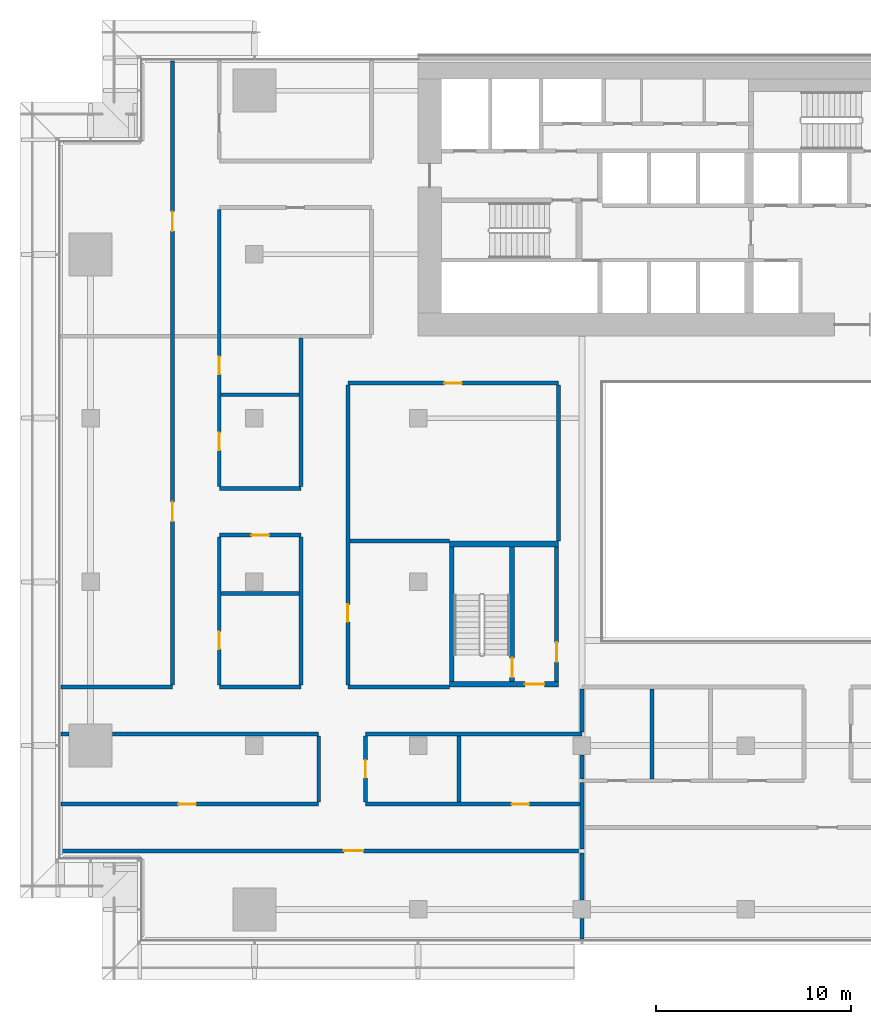
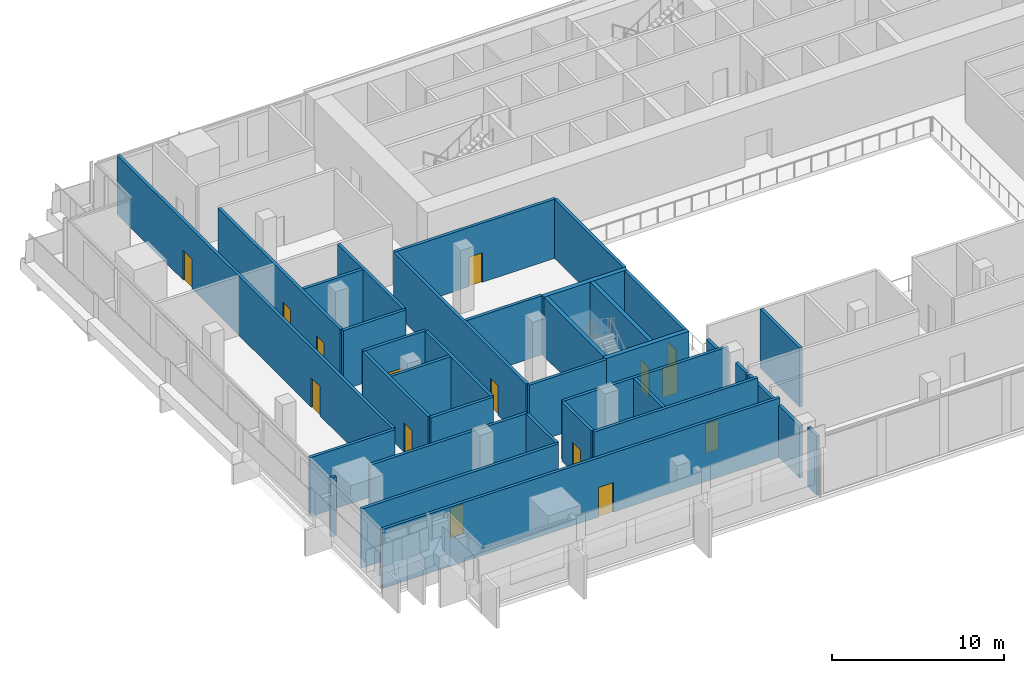
# One storey, part 13 of 23: 36 walls, 15 doors, 15 openings.
"""IFC4 building model written with IfcOpenShell, lengths in metres."""

from ifc_helpers import new_model, si_unit, direction, frame, frame_2d, origin, place, context, subcontext, project, spatial, rectangle, extrude, material, layer, layer_set, type_object, element, fill, save


model = new_model("IFC4")

# Units and contexts
model_context = context("Model", 3, precision=1e-05, world=origin(), true_north=direction((0.0, 1.0)))
body_context = subcontext(model_context, "Body", "Model", "MODEL_VIEW")
ifc_project = project(units=[si_unit("LENGTHUNIT", "METRE"), si_unit("AREAUNIT", "SQUARE_METRE"), si_unit("VOLUMEUNIT", "CUBIC_METRE"), si_unit("PLANEANGLEUNIT", "RADIAN"), si_unit("MASSUNIT", "GRAM", prefix="KILO")], contexts=[model_context])

# Site, building, storey
site_placement = place(None, origin())
site = spatial("IfcSite", under=ifc_project, at=site_placement, CompositionType="ELEMENT")
building_placement = place(site_placement, origin())
building = spatial("IfcBuilding", under=site, at=building_placement, Name="Saffron Gate Tower", CompositionType="ELEMENT")
storey_placement = place(building_placement, frame((0.0, 0.0, 23.699951171875)))
storey = spatial("IfcBuildingStorey", under=building, at=storey_placement, Name="L04", CompositionType="ELEMENT", Elevation=23.699951171875)

# Wall, opening, door
ifc_material_1 = material(Name="Gypsum board partition on steel studs", Category="steel")
ifc_layer_1 = layer(ifc_material_1, 0.199951171875)
ifc_layer_set_1 = layer_set([ifc_layer_1], Name="CW10 Core partition 200")
wall_type_1 = type_object("IfcWallType", Name="CW10 Core partition 200", PredefinedType="PARTITIONING", material=ifc_layer_set_1)
wall_1_placement = place(storey_placement, frame((73.699951171875, 43.5, 0.0), z_axis=(0.0, 0.0, 1.0), x_axis=(0.0, 1.0, 0.0)))
wall_1 = element("IfcWall", 1, at=wall_1_placement, inside=storey, type_object=wall_type_1, Name="Wall CW10-L04-D-4", PredefinedType="PARTITIONING", context=body_context, shape_type="SweptSolid", body=[
    extrude(rectangle(XDim=6.89990234375, YDim=0.199951171875, at=frame_2d((3.449951171875, 0.0))), origin(), (0.0, 0.0, 1.0), 4.199951171875),
])
opening_1_placement = place(wall_1_placement, frame((1.0, 0.0, 0.0)))
opening_1 = element("IfcOpeningElement", 2, at=opening_1_placement, cuts=wall_1, Name="Opening CR-19", PredefinedType="OPENING", context=body_context, shape_type="SweptSolid", body=[
    extrude(rectangle(XDim=1.0, YDim=2.10009765625, at=frame_2d((0.5, 1.050048828125))), frame((0.0, 0.10986328125, 0.0), z_axis=(0.0, -1.0, 0.0), x_axis=(1.0, 0.0, 0.0)), (0.0, 0.0, 1.0), 0.219970703125),
])
ifc_material_2 = material(Name="Steel fire door set", Category="steel")
door_type_1 = type_object("IfcDoorType", Name="CD4 Lobby door 1000x2100 EI 120", OperationType="NOTDEFINED", PredefinedType="DOOR", material=ifc_material_2)
door_1_placement = place(opening_1_placement, origin())
door_1 = element("IfcDoor", 3, at=door_1_placement, inside=storey, type_object=door_type_1, Name="DOOR CR-19", OperationType="SINGLE_SWING_RIGHT", OverallHeight=2.10009765625, OverallWidth=1.0, PredefinedType="DOOR", context=body_context, shape_type="SweptSolid", body=[
    extrude(rectangle(XDim=1.0, YDim=2.10009765625, at=frame_2d((0.5, 1.050048828125))), frame((0.0, 0.02490234375, 0.0), z_axis=(0.0, -1.0, 0.0), x_axis=(1.0, 0.0, 0.0)), (0.0, 0.0, 1.0), 0.050048828125),
])
fill(opening_1, door_1)

# Wall
ifc_material_3 = material(Name="Concrete C70", Category="concrete")
ifc_layer_2 = layer(ifc_material_3, 0.25)
ifc_layer_set_2 = layer_set([ifc_layer_2], Name="CW2 RC core wall 250 C70")
wall_type_2 = type_object("IfcWallType", Name="CW2 RC core wall 250 C70", PredefinedType="SOLIDWALL", material=ifc_layer_set_2)
wall_2_placement = place(storey_placement, frame((68.324951171875, 43.5, 0.0), z_axis=(0.0, 0.0, 1.0), x_axis=(0.0, 1.0, 0.0)))
element("IfcWall", 4, at=wall_2_placement, inside=storey, type_object=wall_type_2, Name="Wall CW2-L04-D-2", PredefinedType="SOLIDWALL", context=body_context, shape_type="SweptSolid", body=[
    extrude(rectangle(XDim=6.89990234375, YDim=0.25, at=frame_2d((3.449951171875, 0.0))), origin(), (0.0, 0.0, 1.0), 4.199951171875),
])

# Wall, opening, door
wall_3_placement = place(storey_placement, frame((71.425048828125, 43.5, 0.0), z_axis=(0.0, 0.0, 1.0), x_axis=(0.0, 1.0, 0.0)))
wall_3 = element("IfcWall", 5, at=wall_3_placement, inside=storey, type_object=wall_type_2, Name="Wall CW2-L04-D-3", PredefinedType="SOLIDWALL", context=body_context, shape_type="SweptSolid", body=[
    extrude(rectangle(XDim=6.89990234375, YDim=0.25, at=frame_2d((3.449951171875, 0.0))), origin(), (0.0, 0.0, 1.0), 4.199951171875),
])
opening_2_placement = place(wall_3_placement, frame((0.199951171875, 0.0, 0.0)))
opening_2 = element("IfcOpeningElement", 6, at=opening_2_placement, cuts=wall_3, Name="Opening CR-20", PredefinedType="OPENING", context=body_context, shape_type="SweptSolid", body=[
    extrude(rectangle(XDim=1.0, YDim=2.10009765625, at=frame_2d((0.5, 1.050048828125))), frame((0.0, 0.135009765625, 0.0), z_axis=(0.0, -1.0, 0.0), x_axis=(1.0, 0.0, 0.0)), (0.0, 0.0, 1.0), 0.27001953125),
])
door_type_2 = type_object("IfcDoorType", Name="CD5 Stair door 1000x2100 EI 120", OperationType="NOTDEFINED", PredefinedType="DOOR", material=ifc_material_2)
door_2_placement = place(opening_2_placement, origin())
door_2 = element("IfcDoor", 7, at=door_2_placement, inside=storey, type_object=door_type_2, Name="DOOR CR-20", OperationType="SINGLE_SWING_LEFT", OverallHeight=2.10009765625, OverallWidth=1.0, PredefinedType="DOOR", context=body_context, shape_type="SweptSolid", body=[
    extrude(rectangle(XDim=1.0, YDim=2.10009765625, at=frame_2d((0.5, 1.050048828125))), frame((0.0, 0.02490234375, 0.0), z_axis=(0.0, -1.0, 0.0), x_axis=(1.0, 0.0, 0.0)), (0.0, 0.0, 1.0), 0.050048828125),
])
fill(opening_2, door_2)

ifc_layer_3 = layer(ifc_material_3, 0.300048828125)
ifc_layer_set_3 = layer_set([ifc_layer_3], Name="CW5 RC core wall 300 C70")
wall_type_3 = type_object("IfcWallType", Name="CW5 RC core wall 300 C70", PredefinedType="SOLIDWALL", material=ifc_layer_set_3)
wall_4_placement = place(storey_placement, frame((68.199951171875, 43.35009765625, 0.0), z_axis=(0.0, 0.0, 1.0), x_axis=(1.0, 0.0, 0.0)))
wall_4 = element("IfcWall", 8, at=wall_4_placement, inside=storey, type_object=wall_type_3, Name="Wall CW5-L04-D-1", PredefinedType="SOLIDWALL", context=body_context, shape_type="SweptSolid", body=[
    extrude(rectangle(XDim=5.60009765625, YDim=0.300048828125, at=frame_2d((2.800048828125, 0.0))), origin(), (0.0, 0.0, 1.0), 4.199951171875),
])
opening_3_placement = place(wall_4_placement, frame((3.875, 0.0, 0.0)))
opening_3 = element("IfcOpeningElement", 9, at=opening_3_placement, cuts=wall_4, Name="Opening CR-18", PredefinedType="OPENING", context=body_context, shape_type="SweptSolid", body=[
    extrude(rectangle(XDim=1.0, YDim=2.10009765625, at=frame_2d((0.5, 1.050048828125))), frame((0.0, 0.16015625, 0.0), z_axis=(0.0, -1.0, 0.0), x_axis=(1.0, 0.0, 0.0)), (0.0, 0.0, 1.0), 0.320068359375),
])
door_3_placement = place(opening_3_placement, origin())
door_3 = element("IfcDoor", 10, at=door_3_placement, inside=storey, type_object=door_type_1, Name="DOOR CR-18", OperationType="SINGLE_SWING_RIGHT", OverallHeight=2.10009765625, OverallWidth=1.0, PredefinedType="DOOR", context=body_context, shape_type="SweptSolid", body=[
    extrude(rectangle(XDim=1.0, YDim=2.10009765625, at=frame_2d((0.5, 1.050048828125))), frame((0.0, 0.02490234375, 0.0), z_axis=(0.0, -1.0, 0.0), x_axis=(1.0, 0.0, 0.0)), (0.0, 0.0, 1.0), 0.050048828125),
])
fill(opening_3, door_3)

# Wall
wall_5_placement = place(storey_placement, frame((68.199951171875, 50.550048828125, 0.0), z_axis=(0.0, 0.0, 1.0), x_axis=(1.0, 0.0, 0.0)))
element("IfcWall", 11, at=wall_5_placement, inside=storey, type_object=wall_type_3, Name="Wall CW5-L04-D-5", PredefinedType="SOLIDWALL", context=body_context, shape_type="SweptSolid", body=[
    extrude(rectangle(XDim=5.60009765625, YDim=0.300048828125, at=frame_2d((2.800048828125, 0.0))), origin(), (0.0, 0.0, 1.0), 4.199951171875),
])

# Wall, opening, door
ifc_material_4 = material(Name="Clay brick masonry, rendered", Category="masonry")
ifc_layer_4 = layer(ifc_material_4, 0.199951171875)
ifc_layer_set_4 = layer_set([ifc_layer_4], Name="PW3 Corridor wall 200")
wall_type_4 = type_object("IfcWallType", Name="PW3 Corridor wall 200", PredefinedType="PARTITIONING", material=ifc_layer_set_4)
wall_6_placement = place(storey_placement, frame((75.0, 34.800048828125, 0.0), z_axis=(0.0, 0.0, 1.0), x_axis=(-1.0, 0.0, 0.0)))
wall_6 = element("IfcWall", 12, at=wall_6_placement, inside=storey, type_object=wall_type_4, Name="Wall S2-1", PredefinedType="PARTITIONING", context=body_context, shape_type="SweptSolid", body=[
    extrude(rectangle(XDim=26.719970703125, YDim=0.199951171875, at=frame_2d((13.35986328125, 0.0))), origin(), (0.0, 0.0, 1.0), 4.199951171875),
])
opening_4_placement = place(wall_6_placement, frame((11.203857421875, 0.0, 0.0)))
opening_4 = element("IfcOpeningElement", 13, at=opening_4_placement, cuts=wall_6, Name="Opening S2-32", PredefinedType="OPENING", context=body_context, shape_type="SweptSolid", body=[
    extrude(rectangle(XDim=1.0, YDim=2.10009765625, at=frame_2d((0.5, 1.050048828125))), frame((0.0, 0.10986328125, 0.0), z_axis=(0.0, -1.0, 0.0), x_axis=(1.0, 0.0, 0.0)), (0.0, 0.0, 1.0), 0.219970703125),
])
ifc_material_5 = material(Name="Timber door set", Category="wood")
door_type_3 = type_object("IfcDoorType", Name="HD1 Hall door 1200x2100", OperationType="NOTDEFINED", PredefinedType="DOOR", material=ifc_material_5)
door_4_placement = place(opening_4_placement, origin())
door_4 = element("IfcDoor", 14, at=door_4_placement, inside=storey, type_object=door_type_3, Name="Door S2-32", OperationType="SINGLE_SWING_LEFT", OverallHeight=2.10009765625, OverallWidth=1.0, PredefinedType="DOOR", context=body_context, shape_type="SweptSolid", body=[
    extrude(rectangle(XDim=1.0, YDim=2.10009765625, at=frame_2d((0.5, 1.050048828125))), frame((0.0, 0.02490234375, 0.0), z_axis=(0.0, -1.0, 0.0), x_axis=(1.0, 0.0, 0.0)), (0.0, 0.0, 1.0), 0.050048828125),
])
fill(opening_4, door_4)

wall_7_placement = place(storey_placement, frame((48.280029296875, 37.199951171875, 0.0), z_axis=(0.0, 0.0, 1.0), x_axis=(1.0, 0.0, 0.0)))
wall_7 = element("IfcWall", 15, at=wall_7_placement, inside=storey, type_object=wall_type_4, Name="Wall S2-4", PredefinedType="PARTITIONING", context=body_context, shape_type="SweptSolid", body=[
    extrude(rectangle(XDim=13.219970703125, YDim=0.199951171875, at=frame_2d((6.60986328125, 0.0))), origin(), (0.0, 0.0, 1.0), 4.199951171875),
])
opening_5_placement = place(wall_7_placement, frame((6.02001953125, 0.0, 0.0)))
opening_5 = element("IfcOpeningElement", 16, at=opening_5_placement, cuts=wall_7, Name="Opening S2-6", PredefinedType="OPENING", context=body_context, shape_type="SweptSolid", body=[
    extrude(rectangle(XDim=0.89990234375, YDim=2.10009765625, at=frame_2d((0.449951171875, 1.050048828125))), frame((0.0, 0.10986328125, 0.0), z_axis=(0.0, -1.0, 0.0), x_axis=(1.0, 0.0, 0.0)), (0.0, 0.0, 1.0), 0.219970703125),
])
door_type_4 = type_object("IfcDoorType", Name="RD1 Room door 900x2100", OperationType="NOTDEFINED", PredefinedType="DOOR", material=ifc_material_5)
door_5_placement = place(opening_5_placement, origin())
door_5 = element("IfcDoor", 17, at=door_5_placement, inside=storey, type_object=door_type_4, Name="Door S2-6", OperationType="SINGLE_SWING_LEFT", OverallHeight=2.10009765625, OverallWidth=0.89990234375, PredefinedType="DOOR", context=body_context, shape_type="SweptSolid", body=[
    extrude(rectangle(XDim=0.89990234375, YDim=2.10009765625, at=frame_2d((0.449951171875, 1.050048828125))), frame((0.0, 0.02490234375, 0.0), z_axis=(0.0, -1.0, 0.0), x_axis=(1.0, 0.0, 0.0)), (0.0, 0.0, 1.0), 0.050048828125),
])
fill(opening_5, door_5)

wall_8_placement = place(storey_placement, frame((63.89990234375, 37.199951171875, 0.0), z_axis=(0.0, 0.0, 1.0), x_axis=(1.0, 0.0, 0.0)))
wall_8 = element("IfcWall", 18, at=wall_8_placement, inside=storey, type_object=wall_type_4, Name="Wall S2-5", PredefinedType="PARTITIONING", context=body_context, shape_type="SweptSolid", body=[
    extrude(rectangle(XDim=11.0, YDim=0.199951171875, at=frame_2d((5.5, 0.0))), origin(), (0.0, 0.0, 1.0), 4.199951171875),
])
opening_6_placement = place(wall_8_placement, frame((7.5, 0.0, 0.0)))
opening_6 = element("IfcOpeningElement", 19, at=opening_6_placement, cuts=wall_8, Name="Opening S2-8", PredefinedType="OPENING", context=body_context, shape_type="SweptSolid", body=[
    extrude(rectangle(XDim=0.89990234375, YDim=2.10009765625, at=frame_2d((0.449951171875, 1.050048828125))), frame((0.0, 0.10986328125, 0.0), z_axis=(0.0, -1.0, 0.0), x_axis=(1.0, 0.0, 0.0)), (0.0, 0.0, 1.0), 0.219970703125),
])
door_6_placement = place(opening_6_placement, origin())
door_6 = element("IfcDoor", 20, at=door_6_placement, inside=storey, type_object=door_type_4, Name="Door S2-8", OperationType="SINGLE_SWING_RIGHT", OverallHeight=2.10009765625, OverallWidth=0.89990234375, PredefinedType="DOOR", context=body_context, shape_type="SweptSolid", body=[
    extrude(rectangle(XDim=0.89990234375, YDim=2.10009765625, at=frame_2d((0.449951171875, 1.050048828125))), frame((0.0, 0.02490234375, 0.0), z_axis=(0.0, -1.0, 0.0), x_axis=(1.0, 0.0, 0.0)), (0.0, 0.0, 1.0), 0.050048828125),
])
fill(opening_6, door_6)

# Walls
wall_9_placement = place(storey_placement, frame((48.280029296875, 40.800048828125, 0.0), z_axis=(0.0, 0.0, 1.0), x_axis=(1.0, 0.0, 0.0)))
element("IfcWall", 21, at=wall_9_placement, inside=storey, type_object=wall_type_4, Name="Wall S2-10", PredefinedType="PARTITIONING", context=body_context, shape_type="SweptSolid", body=[
    extrude(rectangle(XDim=0.39990234375, YDim=0.199951171875, at=frame_2d((0.199951171875, 0.0))), origin(), (0.0, 0.0, 1.0), 4.199951171875),
])
wall_10_placement = place(storey_placement, frame((50.919921875, 40.800048828125, 0.0), z_axis=(0.0, 0.0, 1.0), x_axis=(1.0, 0.0, 0.0)))
element("IfcWall", 22, at=wall_10_placement, inside=storey, type_object=wall_type_4, Name="Wall S2-11", PredefinedType="PARTITIONING", context=body_context, shape_type="SweptSolid", body=[
    extrude(rectangle(XDim=10.580078125, YDim=0.199951171875, at=frame_2d((5.2900390625, 0.0))), origin(), (0.0, 0.0, 1.0), 4.199951171875),
])
wall_11_placement = place(storey_placement, frame((63.89990234375, 40.800048828125, 0.0), z_axis=(0.0, 0.0, 1.0), x_axis=(1.0, 0.0, 0.0)))
element("IfcWall", 23, at=wall_11_placement, inside=storey, type_object=wall_type_4, Name="Wall S2-12", PredefinedType="PARTITIONING", context=body_context, shape_type="SweptSolid", body=[
    extrude(rectangle(XDim=11.10009765625, YDim=0.199951171875, at=frame_2d((5.550048828125, 0.0))), origin(), (0.0, 0.0, 1.0), 4.199951171875),
])
wall_12_placement = place(storey_placement, frame((48.280029296875, 43.199951171875, 0.0), z_axis=(0.0, 0.0, 1.0), x_axis=(1.0, 0.0, 0.0)))
element("IfcWall", 24, at=wall_12_placement, inside=storey, type_object=wall_type_4, Name="Wall S2-16", PredefinedType="PARTITIONING", context=body_context, shape_type="SweptSolid", body=[
    extrude(rectangle(XDim=5.719970703125, YDim=0.199951171875, at=frame_2d((2.85986328125, 0.0))), origin(), (0.0, 0.0, 1.0), 4.199951171875),
])
wall_13_placement = place(storey_placement, frame((56.39990234375, 43.199951171875, 0.0), z_axis=(0.0, 0.0, 1.0), x_axis=(1.0, 0.0, 0.0)))
element("IfcWall", 25, at=wall_13_placement, inside=storey, type_object=wall_type_4, Name="Wall S2-17", PredefinedType="PARTITIONING", context=body_context, shape_type="SweptSolid", body=[
    extrude(rectangle(XDim=4.2001953125, YDim=0.199951171875, at=frame_2d((2.10009765625, 0.0))), origin(), (0.0, 0.0, 1.0), 4.199951171875),
])
wall_14_placement = place(storey_placement, frame((63.0, 43.199951171875, 0.0), z_axis=(0.0, 0.0, 1.0), x_axis=(1.0, 0.0, 0.0)))
element("IfcWall", 26, at=wall_14_placement, inside=storey, type_object=wall_type_4, Name="Wall S2-18", PredefinedType="PARTITIONING", context=body_context, shape_type="SweptSolid", body=[
    extrude(rectangle(XDim=5.199951171875, YDim=0.199951171875, at=frame_2d((2.60009765625, 0.0))), origin(), (0.0, 0.0, 1.0), 4.199951171875),
])

# Wall, opening, door
wall_15_placement = place(storey_placement, frame((60.60009765625, 51.0, 0.0), z_axis=(0.0, 0.0, 1.0), x_axis=(-1.0, 0.0, 0.0)))
wall_15 = element("IfcWall", 27, at=wall_15_placement, inside=storey, type_object=wall_type_4, Name="Wall S2-28", PredefinedType="PARTITIONING", context=body_context, shape_type="SweptSolid", body=[
    extrude(rectangle(XDim=4.2001953125, YDim=0.199951171875, at=frame_2d((2.10009765625, 0.0))), origin(), (0.0, 0.0, 1.0), 4.199951171875),
])
opening_7_placement = place(wall_15_placement, frame((1.64990234375, 0.0, 0.0)))
opening_7 = element("IfcOpeningElement", 28, at=opening_7_placement, cuts=wall_15, Name="Opening S2-19", PredefinedType="OPENING", context=body_context, shape_type="SweptSolid", body=[
    extrude(rectangle(XDim=0.89990234375, YDim=2.10009765625, at=frame_2d((0.449951171875, 1.050048828125))), frame((0.0, 0.10986328125, 0.0), z_axis=(0.0, -1.0, 0.0), x_axis=(1.0, 0.0, 0.0)), (0.0, 0.0, 1.0), 0.219970703125),
])
door_7_placement = place(opening_7_placement, origin())
door_7 = element("IfcDoor", 29, at=door_7_placement, inside=storey, type_object=door_type_4, Name="Door S2-19", OperationType="SINGLE_SWING_RIGHT", OverallHeight=2.10009765625, OverallWidth=0.89990234375, PredefinedType="DOOR", context=body_context, shape_type="SweptSolid", body=[
    extrude(rectangle(XDim=0.89990234375, YDim=2.10009765625, at=frame_2d((0.449951171875, 1.050048828125))), frame((0.0, 0.02490234375, 0.0), z_axis=(0.0, -1.0, 0.0), x_axis=(1.0, 0.0, 0.0)), (0.0, 0.0, 1.0), 0.050048828125),
])
fill(opening_7, door_7)

# Wall
wall_16_placement = place(storey_placement, frame((56.39990234375, 53.39990234375, 0.0), z_axis=(0.0, 0.0, 1.0), x_axis=(1.0, 0.0, 0.0)))
element("IfcWall", 30, at=wall_16_placement, inside=storey, type_object=wall_type_4, Name="Wall S2-31", PredefinedType="PARTITIONING", context=body_context, shape_type="SweptSolid", body=[
    extrude(rectangle(XDim=4.2001953125, YDim=0.199951171875, at=frame_2d((2.10009765625, 0.0))), origin(), (0.0, 0.0, 1.0), 4.199951171875),
])

# Wall, opening, door
wall_17_placement = place(storey_placement, frame((73.800048828125, 58.800048828125, 0.0), z_axis=(0.0, 0.0, 1.0), x_axis=(-1.0, 0.0, 0.0)))
wall_17 = element("IfcWall", 31, at=wall_17_placement, inside=storey, type_object=wall_type_4, Name="Wall S2-38", PredefinedType="PARTITIONING", context=body_context, shape_type="SweptSolid", body=[
    extrude(rectangle(XDim=10.800048828125, YDim=0.199951171875, at=frame_2d((5.39990234375, 0.0))), origin(), (0.0, 0.0, 1.0), 4.199951171875),
])
opening_8_placement = place(wall_17_placement, frame((4.949951171875, 0.0, 0.0)))
opening_8 = element("IfcOpeningElement", 32, at=opening_8_placement, cuts=wall_17, Name="Opening S2-5", PredefinedType="OPENING", context=body_context, shape_type="SweptSolid", body=[
    extrude(rectangle(XDim=0.89990234375, YDim=2.10009765625, at=frame_2d((0.449951171875, 1.050048828125))), frame((0.0, 0.10986328125, 0.0), z_axis=(0.0, -1.0, 0.0), x_axis=(1.0, 0.0, 0.0)), (0.0, 0.0, 1.0), 0.219970703125),
])
door_8_placement = place(opening_8_placement, origin())
door_8 = element("IfcDoor", 33, at=door_8_placement, inside=storey, type_object=door_type_4, Name="Door S2-5", OperationType="SINGLE_SWING_LEFT", OverallHeight=2.10009765625, OverallWidth=0.89990234375, PredefinedType="DOOR", context=body_context, shape_type="SweptSolid", body=[
    extrude(rectangle(XDim=0.89990234375, YDim=2.10009765625, at=frame_2d((0.449951171875, 1.050048828125))), frame((0.0, 0.02490234375, 0.0), z_axis=(0.0, -1.0, 0.0), x_axis=(1.0, 0.0, 0.0)), (0.0, 0.0, 1.0), 0.050048828125),
])
fill(opening_8, door_8)

# Wall, openings, doors
wall_18_placement = place(storey_placement, frame((54.0, 43.300048828125, 0.0), z_axis=(0.0, 0.0, 1.0), x_axis=(0.0, 1.0, 0.0)))
wall_18 = element("IfcWall", 34, at=wall_18_placement, inside=storey, type_object=wall_type_4, Name="Wall S2-52", PredefinedType="PARTITIONING", context=body_context, shape_type="SweptSolid", body=[
    extrude(rectangle(XDim=32.02001953125, YDim=0.199951171875, at=frame_2d((16.010009765625, 0.0))), origin(), (0.0, 0.0, 1.0), 4.199951171875),
])
opening_9_placement = place(wall_18_placement, frame((8.39990234375, 0.0, 0.0)))
opening_9 = element("IfcOpeningElement", 35, at=opening_9_placement, cuts=wall_18, Name="Opening S2-35", PredefinedType="OPENING", context=body_context, shape_type="SweptSolid", body=[
    extrude(rectangle(XDim=1.0, YDim=2.10009765625, at=frame_2d((0.5, 1.050048828125))), frame((0.0, 0.10986328125, 0.0), z_axis=(0.0, -1.0, 0.0), x_axis=(1.0, 0.0, 0.0)), (0.0, 0.0, 1.0), 0.219970703125),
])
opening_10_placement = place(wall_18_placement, frame((23.29150390625, 0.0, 0.0)))
opening_10 = element("IfcOpeningElement", 36, at=opening_10_placement, cuts=wall_18, Name="Opening S2-36", PredefinedType="OPENING", context=body_context, shape_type="SweptSolid", body=[
    extrude(rectangle(XDim=1.0, YDim=2.10009765625, at=frame_2d((0.5, 1.050048828125))), frame((0.0, 0.10986328125, 0.0), z_axis=(0.0, -1.0, 0.0), x_axis=(1.0, 0.0, 0.0)), (0.0, 0.0, 1.0), 0.219970703125),
])
door_9_placement = place(opening_9_placement, origin())
door_9 = element("IfcDoor", 37, at=door_9_placement, inside=storey, type_object=door_type_3, Name="Door S2-35", OperationType="SINGLE_SWING_LEFT", OverallHeight=2.10009765625, OverallWidth=1.0, PredefinedType="DOOR", context=body_context, shape_type="SweptSolid", body=[
    extrude(rectangle(XDim=1.0, YDim=2.10009765625, at=frame_2d((0.5, 1.050048828125))), frame((0.0, 0.02490234375, 0.0), z_axis=(0.0, -1.0, 0.0), x_axis=(1.0, 0.0, 0.0)), (0.0, 0.0, 1.0), 0.050048828125),
])
fill(opening_9, door_9)
door_10_placement = place(opening_10_placement, origin())
door_10 = element("IfcDoor", 38, at=door_10_placement, inside=storey, type_object=door_type_3, Name="Door S2-36", OperationType="SINGLE_SWING_LEFT", OverallHeight=2.10009765625, OverallWidth=1.0, PredefinedType="DOOR", context=body_context, shape_type="SweptSolid", body=[
    extrude(rectangle(XDim=1.0, YDim=2.10009765625, at=frame_2d((0.5, 1.050048828125))), frame((0.0, 0.02490234375, 0.0), z_axis=(0.0, -1.0, 0.0), x_axis=(1.0, 0.0, 0.0)), (0.0, 0.0, 1.0), 0.050048828125),
])
fill(opening_10, door_10)

# Wall, opening, door
wall_19_placement = place(storey_placement, frame((56.39990234375, 50.89990234375, 0.0), z_axis=(0.0, 0.0, 1.0), x_axis=(0.0, -1.0, 0.0)))
wall_19 = element("IfcWall", 39, at=wall_19_placement, inside=storey, type_object=wall_type_4, Name="Wall S2-53", PredefinedType="PARTITIONING", context=body_context, shape_type="SweptSolid", body=[
    extrude(rectangle(XDim=7.599853515625, YDim=0.199951171875, at=frame_2d((3.7998046875, 0.0))), origin(), (0.0, 0.0, 1.0), 4.199951171875),
])
opening_11_placement = place(wall_19_placement, frame((4.85009765625, 0.0, 0.0)))
opening_11 = element("IfcOpeningElement", 40, at=opening_11_placement, cuts=wall_19, Name="Opening S2-18", PredefinedType="OPENING", context=body_context, shape_type="SweptSolid", body=[
    extrude(rectangle(XDim=0.89990234375, YDim=2.10009765625, at=frame_2d((0.449951171875, 1.050048828125))), frame((0.0, 0.10986328125, 0.0), z_axis=(0.0, -1.0, 0.0), x_axis=(1.0, 0.0, 0.0)), (0.0, 0.0, 1.0), 0.219970703125),
])
door_11_placement = place(opening_11_placement, origin())
door_11 = element("IfcDoor", 41, at=door_11_placement, inside=storey, type_object=door_type_4, Name="Door S2-18", OperationType="SINGLE_SWING_RIGHT", OverallHeight=2.10009765625, OverallWidth=0.89990234375, PredefinedType="DOOR", context=body_context, shape_type="SweptSolid", body=[
    extrude(rectangle(XDim=0.89990234375, YDim=2.10009765625, at=frame_2d((0.449951171875, 1.050048828125))), frame((0.0, 0.02490234375, 0.0), z_axis=(0.0, -1.0, 0.0), x_axis=(1.0, 0.0, 0.0)), (0.0, 0.0, 1.0), 0.050048828125),
])
fill(opening_11, door_11)

# Wall, openings, doors
wall_20_placement = place(storey_placement, frame((56.39990234375, 67.699951171875, 0.0), z_axis=(0.0, 0.0, 1.0), x_axis=(0.0, -1.0, 0.0)))
wall_20 = element("IfcWall", 42, at=wall_20_placement, inside=storey, type_object=wall_type_4, Name="Wall S2-54", PredefinedType="PARTITIONING", context=body_context, shape_type="SweptSolid", body=[
    extrude(rectangle(XDim=14.199951171875, YDim=0.199951171875, at=frame_2d((7.10009765625, 0.0))), origin(), (0.0, 0.0, 1.0), 4.199951171875),
])
opening_12_placement = place(wall_20_placement, frame((7.550048828125, 0.0, 0.0)))
opening_12 = element("IfcOpeningElement", 43, at=opening_12_placement, cuts=wall_20, Name="Opening S2-21", PredefinedType="OPENING", context=body_context, shape_type="SweptSolid", body=[
    extrude(rectangle(XDim=0.89990234375, YDim=2.10009765625, at=frame_2d((0.449951171875, 1.050048828125))), frame((0.0, 0.10986328125, 0.0), z_axis=(0.0, -1.0, 0.0), x_axis=(1.0, 0.0, 0.0)), (0.0, 0.0, 1.0), 0.219970703125),
])
opening_13_placement = place(wall_20_placement, frame((11.449951171875, 0.0, 0.0)))
opening_13 = element("IfcOpeningElement", 44, at=opening_13_placement, cuts=wall_20, Name="Opening S2-20", PredefinedType="OPENING", context=body_context, shape_type="SweptSolid", body=[
    extrude(rectangle(XDim=0.89990234375, YDim=2.10009765625, at=frame_2d((0.449951171875, 1.050048828125))), frame((0.0, 0.10986328125, 0.0), z_axis=(0.0, -1.0, 0.0), x_axis=(1.0, 0.0, 0.0)), (0.0, 0.0, 1.0), 0.219970703125),
])
door_12_placement = place(opening_12_placement, origin())
door_12 = element("IfcDoor", 45, at=door_12_placement, inside=storey, type_object=door_type_4, Name="Door S2-21", OperationType="SINGLE_SWING_LEFT", OverallHeight=2.10009765625, OverallWidth=0.89990234375, PredefinedType="DOOR", context=body_context, shape_type="SweptSolid", body=[
    extrude(rectangle(XDim=0.89990234375, YDim=2.10009765625, at=frame_2d((0.449951171875, 1.050048828125))), frame((0.0, 0.02490234375, 0.0), z_axis=(0.0, -1.0, 0.0), x_axis=(1.0, 0.0, 0.0)), (0.0, 0.0, 1.0), 0.050048828125),
])
fill(opening_12, door_12)
door_13_placement = place(opening_13_placement, origin())
door_13 = element("IfcDoor", 46, at=door_13_placement, inside=storey, type_object=door_type_4, Name="Door S2-20", OperationType="SINGLE_SWING_RIGHT", OverallHeight=2.10009765625, OverallWidth=0.89990234375, PredefinedType="DOOR", context=body_context, shape_type="SweptSolid", body=[
    extrude(rectangle(XDim=0.89990234375, YDim=2.10009765625, at=frame_2d((0.449951171875, 1.050048828125))), frame((0.0, 0.02490234375, 0.0), z_axis=(0.0, -1.0, 0.0), x_axis=(1.0, 0.0, 0.0)), (0.0, 0.0, 1.0), 0.050048828125),
])
fill(opening_13, door_13)

# Walls
wall_21_placement = place(storey_placement, frame((60.60009765625, 50.89990234375, 0.0), z_axis=(0.0, 0.0, 1.0), x_axis=(0.0, -1.0, 0.0)))
element("IfcWall", 47, at=wall_21_placement, inside=storey, type_object=wall_type_4, Name="Wall S2-56", PredefinedType="PARTITIONING", context=body_context, shape_type="SweptSolid", body=[
    extrude(rectangle(XDim=7.599853515625, YDim=0.199951171875, at=frame_2d((3.7998046875, 0.0))), origin(), (0.0, 0.0, 1.0), 4.199951171875),
])
wall_22_placement = place(storey_placement, frame((60.60009765625, 61.10009765625, 0.0), z_axis=(0.0, 0.0, 1.0), x_axis=(0.0, -1.0, 0.0)))
element("IfcWall", 48, at=wall_22_placement, inside=storey, type_object=wall_type_4, Name="Wall S2-57", PredefinedType="PARTITIONING", context=body_context, shape_type="SweptSolid", body=[
    extrude(rectangle(XDim=7.60009765625, YDim=0.199951171875, at=frame_2d((3.800048828125, 0.0))), origin(), (0.0, 0.0, 1.0), 4.199951171875),
])
wall_23_placement = place(storey_placement, frame((61.5, 40.699951171875, 0.0), z_axis=(0.0, 0.0, 1.0), x_axis=(0.0, -1.0, 0.0)))
element("IfcWall", 49, at=wall_23_placement, inside=storey, type_object=wall_type_4, Name="Wall S2-58", PredefinedType="PARTITIONING", context=body_context, shape_type="SweptSolid", body=[
    extrude(rectangle(XDim=3.39990234375, YDim=0.199951171875, at=frame_2d((1.699951171875, 0.0))), origin(), (0.0, 0.0, 1.0), 4.199951171875),
])

# Wall, opening, door
wall_24_placement = place(storey_placement, frame((63.0, 58.699951171875, 0.0), z_axis=(0.0, 0.0, 1.0), x_axis=(0.0, -1.0, 0.0)))
wall_24 = element("IfcWall", 50, at=wall_24_placement, inside=storey, type_object=wall_type_4, Name="Wall S2-59", PredefinedType="PARTITIONING", context=body_context, shape_type="SweptSolid", body=[
    extrude(rectangle(XDim=15.39990234375, YDim=0.199951171875, at=frame_2d((7.699951171875, 0.0))), origin(), (0.0, 0.0, 1.0), 4.199951171875),
])
opening_14_placement = place(wall_24_placement, frame((11.25, 0.0, 0.0)))
opening_14 = element("IfcOpeningElement", 51, at=opening_14_placement, cuts=wall_24, Name="Opening S2-31", PredefinedType="OPENING", context=body_context, shape_type="SweptSolid", body=[
    extrude(rectangle(XDim=0.89990234375, YDim=2.10009765625, at=frame_2d((0.449951171875, 1.050048828125))), frame((0.0, 0.10986328125, 0.0), z_axis=(0.0, -1.0, 0.0), x_axis=(1.0, 0.0, 0.0)), (0.0, 0.0, 1.0), 0.219970703125),
])
door_type_5 = type_object("IfcDoorType", Name="SD1 Service door 900x2100", OperationType="NOTDEFINED", PredefinedType="DOOR", material=ifc_material_2)
door_14_placement = place(opening_14_placement, origin())
door_14 = element("IfcDoor", 52, at=door_14_placement, inside=storey, type_object=door_type_5, Name="Door S2-31", OperationType="SINGLE_SWING_RIGHT", OverallHeight=2.10009765625, OverallWidth=0.89990234375, PredefinedType="DOOR", context=body_context, shape_type="SweptSolid", body=[
    extrude(rectangle(XDim=0.89990234375, YDim=2.10009765625, at=frame_2d((0.449951171875, 1.050048828125))), frame((0.0, 0.02490234375, 0.0), z_axis=(0.0, -1.0, 0.0), x_axis=(1.0, 0.0, 0.0)), (0.0, 0.0, 1.0), 0.050048828125),
])
fill(opening_14, door_14)

wall_25_placement = place(storey_placement, frame((63.89990234375, 40.699951171875, 0.0), z_axis=(0.0, 0.0, 1.0), x_axis=(0.0, -1.0, 0.0)))
wall_25 = element("IfcWall", 53, at=wall_25_placement, inside=storey, type_object=wall_type_4, Name="Wall S2-60", PredefinedType="PARTITIONING", context=body_context, shape_type="SweptSolid", body=[
    extrude(rectangle(XDim=3.39990234375, YDim=0.199951171875, at=frame_2d((1.699951171875, 0.0))), origin(), (0.0, 0.0, 1.0), 4.199951171875),
])
opening_15_placement = place(wall_25_placement, frame((1.25, 0.0, 0.0)))
opening_15 = element("IfcOpeningElement", 54, at=opening_15_placement, cuts=wall_25, Name="Opening S2-7", PredefinedType="OPENING", context=body_context, shape_type="SweptSolid", body=[
    extrude(rectangle(XDim=0.89990234375, YDim=2.10009765625, at=frame_2d((0.449951171875, 1.050048828125))), frame((0.0, 0.10986328125, 0.0), z_axis=(0.0, -1.0, 0.0), x_axis=(1.0, 0.0, 0.0)), (0.0, 0.0, 1.0), 0.219970703125),
])
door_15_placement = place(opening_15_placement, origin())
door_15 = element("IfcDoor", 55, at=door_15_placement, inside=storey, type_object=door_type_4, Name="Door S2-7", OperationType="SINGLE_SWING_LEFT", OverallHeight=2.10009765625, OverallWidth=0.89990234375, PredefinedType="DOOR", context=body_context, shape_type="SweptSolid", body=[
    extrude(rectangle(XDim=0.89990234375, YDim=2.10009765625, at=frame_2d((0.449951171875, 1.050048828125))), frame((0.0, 0.02490234375, 0.0), z_axis=(0.0, -1.0, 0.0), x_axis=(1.0, 0.0, 0.0)), (0.0, 0.0, 1.0), 0.050048828125),
])
fill(opening_15, door_15)

# Walls
wall_26_placement = place(storey_placement, frame((73.800048828125, 58.699951171875, 0.0), z_axis=(0.0, 0.0, 1.0), x_axis=(0.0, -1.0, 0.0)))
element("IfcWall", 56, at=wall_26_placement, inside=storey, type_object=wall_type_4, Name="Wall S2-64", PredefinedType="PARTITIONING", context=body_context, shape_type="SweptSolid", body=[
    extrude(rectangle(XDim=8.0, YDim=0.199951171875, at=frame_2d((4.0, 0.0))), origin(), (0.0, 0.0, 1.0), 4.199951171875),
])
wall_27_placement = place(storey_placement, frame((75.0, 38.300048828125, 0.0), z_axis=(0.0, 0.0, 1.0), x_axis=(0.0, -1.0, 0.0)))
element("IfcWall", 57, at=wall_27_placement, inside=storey, type_object=wall_type_4, Name="Wall S2-65", PredefinedType="PARTITIONING", context=body_context, shape_type="SweptSolid", body=[
    extrude(rectangle(XDim=3.400146484375, YDim=0.199951171875, at=frame_2d((1.7001953125, 0.0))), origin(), (0.0, 0.0, 1.0), 3.699951171875),
])
wall_28_placement = place(storey_placement, frame((75.0, 43.10009765625, 0.0), z_axis=(0.0, 0.0, 1.0), x_axis=(0.0, -1.0, 0.0)))
element("IfcWall", 58, at=wall_28_placement, inside=storey, type_object=wall_type_4, Name="Wall S2-66", PredefinedType="PARTITIONING", context=body_context, shape_type="SweptSolid", body=[
    extrude(rectangle(XDim=2.2001953125, YDim=0.199951171875, at=frame_2d((1.10009765625, 0.0))), origin(), (0.0, 0.0, 1.0), 3.300048828125),
])
ifc_layer_5 = layer(ifc_material_4, 0.199951171875)
ifc_layer_set_5 = layer_set([ifc_layer_5], Name="PW5 Room wall 200")
wall_type_5 = type_object("IfcWallType", Name="PW5 Room wall 200", PredefinedType="PARTITIONING", material=ifc_layer_set_5)
wall_29_placement = place(storey_placement, frame((56.5, 48.0, 0.0), z_axis=(0.0, 0.0, 1.0), x_axis=(1.0, 0.0, 0.0)))
element("IfcWall", 59, at=wall_29_placement, inside=storey, type_object=wall_type_5, Name="Wall S2-25", PredefinedType="PARTITIONING", context=body_context, shape_type="SweptSolid", body=[
    extrude(rectangle(XDim=4.0, YDim=0.199951171875, at=frame_2d((2.0, 0.0))), origin(), (0.0, 0.0, 1.0), 4.199951171875),
])
wall_30_placement = place(storey_placement, frame((63.10009765625, 50.699951171875, 0.0), z_axis=(0.0, 0.0, 1.0), x_axis=(1.0, 0.0, 0.0)))
element("IfcWall", 60, at=wall_30_placement, inside=storey, type_object=wall_type_5, Name="Wall S2-27", PredefinedType="PARTITIONING", context=body_context, shape_type="SweptSolid", body=[
    extrude(rectangle(XDim=5.099853515625, YDim=0.199951171875, at=frame_2d((2.5498046875, 0.0))), origin(), (0.0, 0.0, 1.0), 4.199951171875),
])
wall_31_placement = place(storey_placement, frame((56.5, 58.199951171875, 0.0), z_axis=(0.0, 0.0, 1.0), x_axis=(1.0, 0.0, 0.0)))
element("IfcWall", 61, at=wall_31_placement, inside=storey, type_object=wall_type_5, Name="Wall S2-36", PredefinedType="PARTITIONING", context=body_context, shape_type="SweptSolid", body=[
    extrude(rectangle(XDim=4.0, YDim=0.199951171875, at=frame_2d((2.0, 0.0))), origin(), (0.0, 0.0, 1.0), 4.199951171875),
])
wall_32_placement = place(storey_placement, frame((68.699951171875, 40.699951171875, 0.0), z_axis=(0.0, 0.0, 1.0), x_axis=(0.0, -1.0, 0.0)))
element("IfcWall", 62, at=wall_32_placement, inside=storey, type_object=wall_type_5, Name="Wall S2-63", PredefinedType="PARTITIONING", context=body_context, shape_type="SweptSolid", body=[
    extrude(rectangle(XDim=3.39990234375, YDim=0.199951171875, at=frame_2d((1.699951171875, 0.0))), origin(), (0.0, 0.0, 1.0), 4.199951171875),
])
wall_33_placement = place(storey_placement, frame((75.0, 31.330078125, 0.0), z_axis=(0.0, 0.0, 1.0), x_axis=(0.0, -1.0, 0.0)))
element("IfcWall", 63, at=wall_33_placement, inside=storey, type_object=wall_type_5, Name="Wall S2-67", PredefinedType="PARTITIONING", context=body_context, shape_type="SweptSolid", body=[
    extrude(rectangle(XDim=1.050048828125, YDim=0.199951171875, at=frame_2d((0.52490234375, 0.0))), origin(), (0.0, 0.0, 1.0), 4.199951171875),
])
wall_34_placement = place(storey_placement, frame((75.0, 34.699951171875, 0.0), z_axis=(0.0, 0.0, 1.0), x_axis=(0.0, -1.0, 0.0)))
element("IfcWall", 64, at=wall_34_placement, inside=storey, type_object=wall_type_5, Name="Wall S2-68", PredefinedType="PARTITIONING", context=body_context, shape_type="SweptSolid", body=[
    extrude(rectangle(XDim=2.429931640625, YDim=0.199951171875, at=frame_2d((1.21484375, 0.0))), origin(), (0.0, 0.0, 1.0), 3.699951171875),
])
wall_35_placement = place(storey_placement, frame((75.0, 39.72998046875, 0.0), z_axis=(0.0, 0.0, 1.0), x_axis=(0.0, -1.0, 0.0)))
element("IfcWall", 65, at=wall_35_placement, inside=storey, type_object=wall_type_5, Name="Wall S2-69", PredefinedType="PARTITIONING", context=body_context, shape_type="SweptSolid", body=[
    extrude(rectangle(XDim=1.22998046875, YDim=0.199951171875, at=frame_2d((0.614990234375, 0.0))), origin(), (0.0, 0.0, 1.0), 3.699951171875),
])
wall_36_placement = place(storey_placement, frame((78.60009765625, 43.10009765625, 0.0), z_axis=(0.0, 0.0, 1.0), x_axis=(0.0, -1.0, 0.0)))
element("IfcWall", 66, at=wall_36_placement, inside=storey, type_object=wall_type_5, Name="Wall S2-70", PredefinedType="PARTITIONING", context=body_context, shape_type="SweptSolid", body=[
    extrude(rectangle(XDim=4.60009765625, YDim=0.199951171875, at=frame_2d((2.300048828125, 0.0))), origin(), (0.0, 0.0, 1.0), 4.199951171875),
])

save(model, "model.ifc")
